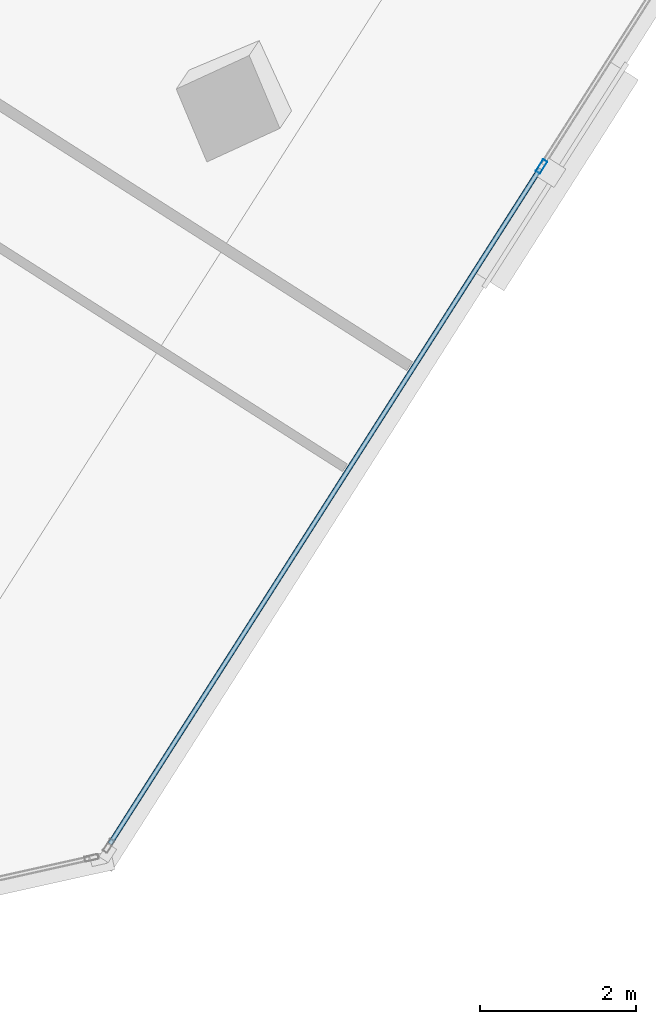
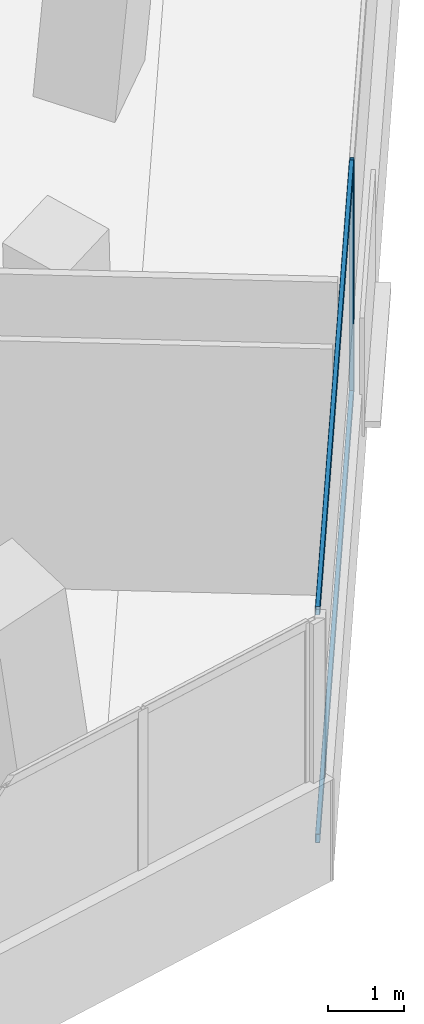
# One storey, part 8 of 24: 3 members, 1 element without a shape of its own.
"""IFC4 building model written with IfcOpenShell, lengths in metres."""

from ifc_helpers import new_model, si_unit, direction, frame, origin, origin_2d, place, context, subcontext, project, spatial, hollow_rectangle, extrude, source, transform, mapped, material, material_profile, profile_set, type_object, element, aggregate, save


model = new_model("IFC4")

# Units and contexts
model_context = context("Model", 3, precision=1e-05, world=origin(), true_north=direction((0.0, 1.0)))
body_context = subcontext(model_context, "Body", "Model", "MODEL_VIEW")
ifc_project = project(units=[si_unit("LENGTHUNIT", "METRE"), si_unit("AREAUNIT", "SQUARE_METRE"), si_unit("VOLUMEUNIT", "CUBIC_METRE"), si_unit("PLANEANGLEUNIT", "RADIAN"), si_unit("MASSUNIT", "GRAM", prefix="KILO")], contexts=[model_context])

# Site, building, storey
site_placement = place(None, origin())
site = spatial("IfcSite", under=ifc_project, at=site_placement, CompositionType="ELEMENT")
building_placement = place(site_placement, origin())
building = spatial("IfcBuilding", under=site, at=building_placement, Name="Torre Montelarca", CompositionType="ELEMENT")
storey_placement = place(building_placement, frame((0.0, 0.0, 191.800048828125)))
storey = spatial("IfcBuildingStorey", under=building, at=storey_placement, Name="L43", CompositionType="ELEMENT", Elevation=191.800048828125)

# Curtain wall, members
ifc_material_1 = material(Name="Insulated low-E laminated glass", Category="glass")
curtain_wall_type = type_object("IfcCurtainWallType", Name="CW-SYS-Z2", PredefinedType="USERDEFINED", material=ifc_material_1)
curtain_wall_placement = place(storey_placement, origin())
curtain_wall = element("IfcCurtainWall", 1, at=curtain_wall_placement, inside=storey, type_object=curtain_wall_type, Name="L43 Curtain Wall Run CW-T3-L43-E06-B1", ObjectType="UNITISED GLAZING", PredefinedType="USERDEFINED")
ifc_material_2 = material(Name="Anodised aluminium AA 6063-T6", Category="aluminium")
ifc_material_profile_1 = material_profile(ifc_material_2, hollow_rectangle(XDim=0.06494140625, YDim=0.139892578125, WallThickness=0.00390625, InnerFilletRadius=0.00390625, OuterFilletRadius=0.008056640625, at=origin_2d()), Name="ALU65X140X4", Category="aluminium")
ifc_profile_set_1 = profile_set([ifc_material_profile_1], Name="Anodised aluminium AA 6063-T6")
member_type_1 = type_object("IfcMemberType", Name="CWT-ALU140", PredefinedType="USERDEFINED", material=ifc_profile_set_1)
shared_shape_1 = source(origin(), body_context, "Body", "SweptSolid", [
    extrude(hollow_rectangle(XDim=0.06494140625, YDim=0.139892578125, WallThickness=0.00390625, InnerFilletRadius=0.00390625, OuterFilletRadius=0.008056640625, at=origin_2d()), origin(), (0.0, 0.0, 1.0), 10.23681640625),
])
member_1_placement = place(storey_placement, frame((42.156494140625, 8.087158203125, 0.032470703125), z_axis=(0.537304432437, 0.843388372509, 0.0), x_axis=(-0.843388372509, 0.537304432437, 0.0)))
member_1 = element("IfcMember", 2, at=member_1_placement, type_object=member_type_1, Name="CW transom 1.1", ObjectType="TRANSOM", PredefinedType="USERDEFINED", context=body_context, shape_type="MappedRepresentation", body=[
    mapped(shared_shape_1, transform((0.0, 0.0, 0.0), scale=1.0)),
])
member_2_placement = place(storey_placement, frame((42.156494140625, 8.087158203125, 3.6875), z_axis=(0.537304432437, 0.843388372509, 0.0), x_axis=(-0.843388372509, 0.537304432437, 0.0)))
member_2 = element("IfcMember", 3, at=member_2_placement, type_object=member_type_1, Name="CW transom 1.2", ObjectType="TRANSOM", PredefinedType="USERDEFINED", context=body_context, shape_type="MappedRepresentation", body=[
    mapped(shared_shape_1, transform((0.0, 0.0, 0.0), scale=1.0)),
])
ifc_material_profile_2 = material_profile(ifc_material_2, hollow_rectangle(XDim=0.06494140625, YDim=0.179931640625, WallThickness=0.00390625, InnerFilletRadius=0.00390625, OuterFilletRadius=0.008056640625, at=origin_2d()), Name="ALU65X180X4", Category="aluminium")
ifc_profile_set_2 = profile_set([ifc_material_profile_2], Name="Anodised aluminium AA 6063-T6")
member_type_2 = type_object("IfcMemberType", Name="CWM-ALU180", PredefinedType="MULLION", material=ifc_profile_set_2)
shared_shape_2 = source(origin(), body_context, "Body", "SweptSolid", [
    extrude(hollow_rectangle(XDim=0.06494140625, YDim=0.179931640625, WallThickness=0.00390625, InnerFilletRadius=0.00390625, OuterFilletRadius=0.008056640625, at=origin_2d()), origin(), (0.0, 0.0, 1.0), 3.719970703125),
])
member_3_placement = place(storey_placement, frame((47.67431640625, 16.748046875, 0.0), z_axis=(0.0, 0.0, 1.0), x_axis=(-0.843389039566, 0.53730338538, 0.0)))
member_3 = element("IfcMember", 4, at=member_3_placement, type_object=member_type_2, Name="CW mullion 2", PredefinedType="MULLION", context=body_context, shape_type="MappedRepresentation", body=[
    mapped(shared_shape_2, transform((0.0, 0.0, 0.0), scale=1.0)),
])
aggregate(curtain_wall, [member_3, member_1, member_2])

save(model, "model.ifc")
